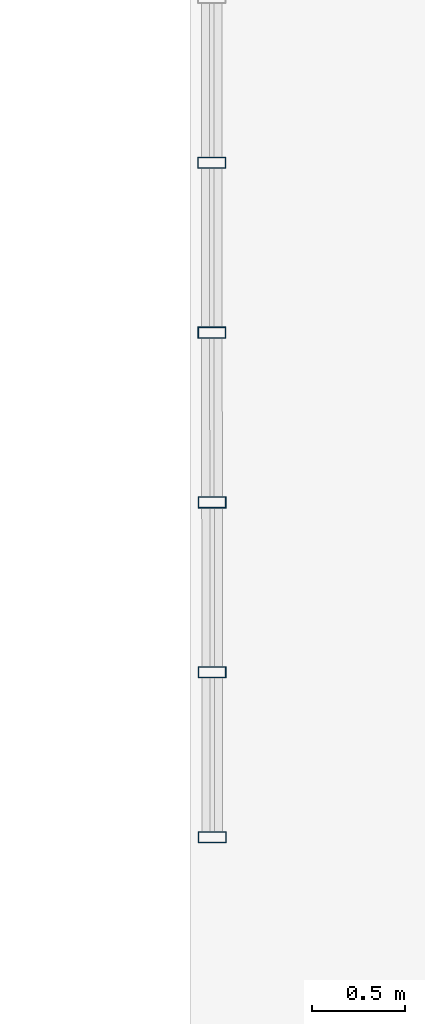
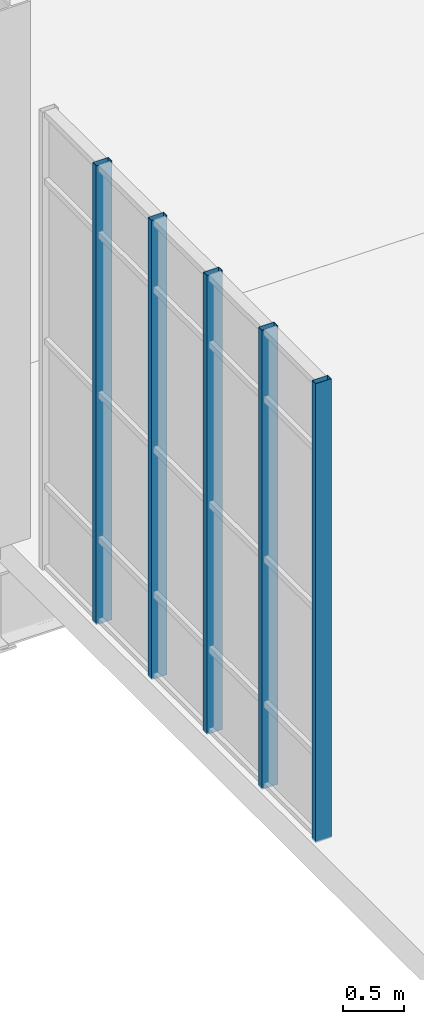
# One storey, part 73 of 189: 5 members, 1 element without a shape of its own.
"""IFC4 building model written with IfcOpenShell, lengths in metres."""

from ifc_helpers import new_model, si_unit, direction, frame, origin, origin_2d, place, context, subcontext, project, spatial, hollow_rectangle, extrude, material, layer, layer_set, material_profile, profile_set, type_object, element, aggregate, save


model = new_model("IFC4")

# Units and contexts
model_context = context("Model", 3, precision=1e-05, world=origin(), true_north=direction((0.0, 1.0)))
body_context = subcontext(model_context, "Body", "Model", "MODEL_VIEW")
ifc_project = project(units=[si_unit("LENGTHUNIT", "METRE"), si_unit("AREAUNIT", "SQUARE_METRE"), si_unit("VOLUMEUNIT", "CUBIC_METRE"), si_unit("PLANEANGLEUNIT", "RADIAN"), si_unit("MASSUNIT", "GRAM", prefix="KILO"), si_unit("THERMODYNAMICTEMPERATUREUNIT", "KELVIN"), si_unit("POWERUNIT", "WATT")], contexts=[model_context])

# Site, building, storey
site_placement = place(None, origin())
site = spatial("IfcSite", under=ifc_project, at=site_placement, CompositionType="ELEMENT")
building_placement = place(site_placement, origin())
building = spatial("IfcBuilding", under=site, at=building_placement, Name="Zelmaris Science Centre", CompositionType="ELEMENT")
storey_placement = place(building_placement, origin())
storey = spatial("IfcBuildingStorey", under=building, at=storey_placement, Name="L00", CompositionType="ELEMENT", Elevation=0.0)

# Curtain wall, members
ifc_material = material(Name="Anodised architectural aluminium 6063-T6", Category="aluminium")
ifc_layer = layer(ifc_material, 0.219970703125, Name="Anodised architectural aluminium 6063-T6")
ifc_layer_set = layer_set([ifc_layer], Name="Anodised architectural aluminium 6063-T6")
curtain_wall_type = type_object("IfcCurtainWallType", Name="Curtain Wall CW-04", PredefinedType="USERDEFINED", material=ifc_layer_set)
curtain_wall_placement = place(storey_placement, origin())
curtain_wall = element("IfcCurtainWall", 1, at=curtain_wall_placement, inside=storey, type_object=curtain_wall_type, Name="L00 Unitised curtain wall 76", ObjectType="GLAZED CURTAIN WALL", PredefinedType="USERDEFINED")
ifc_material_profile = material_profile(ifc_material, hollow_rectangle(XDim=0.06005859375, YDim=0.14990234375, WallThickness=0.00341796875, at=origin_2d()), Name="ALU-MUL-60X150")
ifc_profile_set = profile_set([ifc_material_profile], Name="Anodised architectural aluminium 6063-T6")
member_type = type_object("IfcMemberType", Name="ALU-MUL-60X150", PredefinedType="MULLION", material=ifc_profile_set)
member_1_placement = place(storey_placement, frame((99.115234375, 58.905029296875, -0.014892578125), z_axis=(0.0, 0.0, 1.0), x_axis=(-0.000478220197, 0.999999885653, 0.0)))
member_1 = element("IfcMember", 2, at=member_1_placement, type_object=member_type, Name="CW-04 mullion 1", PredefinedType="MULLION", context=body_context, shape_type="SweptSolid", body=[
    extrude(hollow_rectangle(XDim=0.06005859375, YDim=0.14990234375, WallThickness=0.00341796875, at=origin_2d()), origin(), (0.0, 0.0, 1.0), 4.614990234375),
])
member_2_placement = place(storey_placement, frame((99.114990234375, 59.788818359375, -0.014892578125), z_axis=(0.0, 0.0, 1.0), x_axis=(-0.000478220197, 0.999999885653, 0.0)))
member_2 = element("IfcMember", 3, at=member_2_placement, type_object=member_type, Name="CW-04 mullion 2", PredefinedType="MULLION", context=body_context, shape_type="SweptSolid", body=[
    extrude(hollow_rectangle(XDim=0.06005859375, YDim=0.14990234375, WallThickness=0.00341796875, at=origin_2d()), origin(), (0.0, 0.0, 1.0), 4.614990234375),
])
member_3_placement = place(storey_placement, frame((99.114501953125, 60.69873046875, -0.014892578125), z_axis=(0.0, 0.0, 1.0), x_axis=(-0.000478220197, 0.999999885653, 0.0)))
member_3 = element("IfcMember", 4, at=member_3_placement, type_object=member_type, Name="CW-04 mullion 3", PredefinedType="MULLION", context=body_context, shape_type="SweptSolid", body=[
    extrude(hollow_rectangle(XDim=0.06005859375, YDim=0.14990234375, WallThickness=0.00341796875, at=origin_2d()), origin(), (0.0, 0.0, 1.0), 4.614990234375),
])
member_4_placement = place(storey_placement, frame((99.114013671875, 61.608642578125, -0.014892578125), z_axis=(0.0, 0.0, 1.0), x_axis=(-0.000478220197, 0.999999885653, 0.0)))
member_4 = element("IfcMember", 5, at=member_4_placement, type_object=member_type, Name="CW-04 mullion 4", PredefinedType="MULLION", context=body_context, shape_type="SweptSolid", body=[
    extrude(hollow_rectangle(XDim=0.06005859375, YDim=0.14990234375, WallThickness=0.00341796875, at=origin_2d()), origin(), (0.0, 0.0, 1.0), 4.614990234375),
])
member_5_placement = place(storey_placement, frame((99.113525390625, 62.5185546875, -0.014892578125), z_axis=(0.0, 0.0, 1.0), x_axis=(-0.000478220197, 0.999999885653, 0.0)))
member_5 = element("IfcMember", 6, at=member_5_placement, type_object=member_type, Name="CW-04 mullion 5", PredefinedType="MULLION", context=body_context, shape_type="SweptSolid", body=[
    extrude(hollow_rectangle(XDim=0.06005859375, YDim=0.14990234375, WallThickness=0.00341796875, at=origin_2d()), origin(), (0.0, 0.0, 1.0), 4.614990234375),
])
aggregate(curtain_wall, [member_1, member_2, member_3, member_4, member_5])

save(model, "model.ifc")
